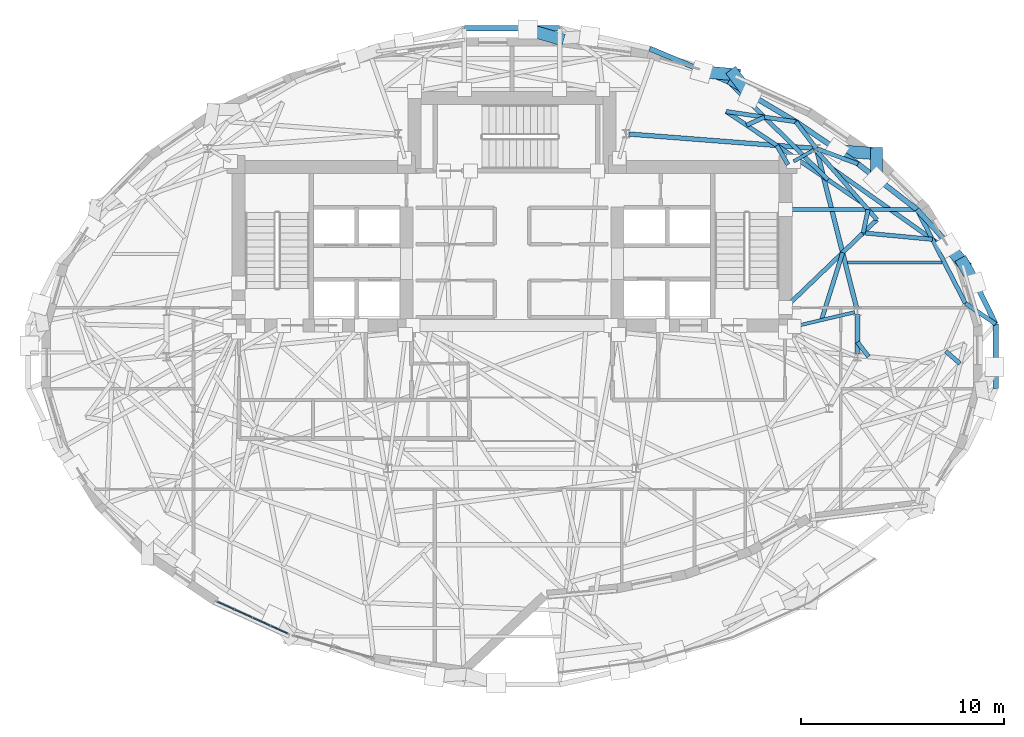
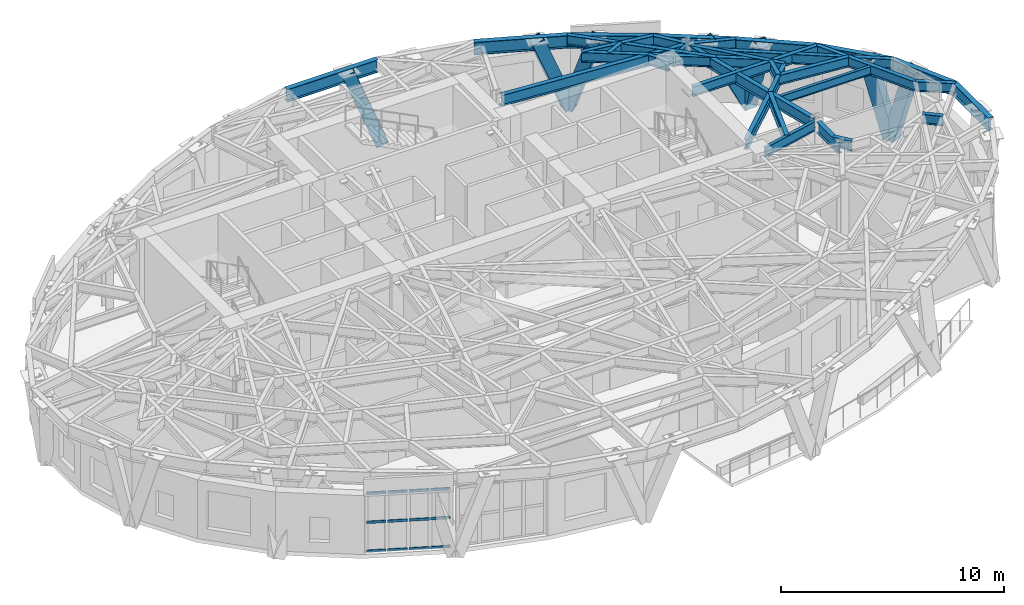
# One storey, part 6 of 15: 32 beams, 19 members, 1 element without a shape of its own.
"""IFC4 building model written with IfcOpenShell, lengths in metres."""

from ifc_helpers import new_model, si_unit, direction, frame, origin, origin_2d, place, context, subcontext, project, spatial, rectangle, hollow_rectangle, i_section, extrude, material, layer, layer_set, material_profile, profile_set, type_object, element, aggregate, save


model = new_model("IFC4")

# Units and contexts
model_context = context("Model", 3, precision=1e-05, world=origin(), true_north=direction((0.0, 1.0)))
body_context = subcontext(model_context, "Body", "Model", "MODEL_VIEW")
ifc_project = project(units=[si_unit("LENGTHUNIT", "METRE"), si_unit("AREAUNIT", "SQUARE_METRE"), si_unit("VOLUMEUNIT", "CUBIC_METRE"), si_unit("PLANEANGLEUNIT", "RADIAN"), si_unit("MASSUNIT", "GRAM", prefix="KILO")], contexts=[model_context])

# Site, building, storey
site_placement = place(None, origin())
site = spatial("IfcSite", under=ifc_project, at=site_placement, CompositionType="ELEMENT")
building_placement = place(site_placement, origin())
building = spatial("IfcBuilding", under=site, at=building_placement, Name="Keldmark Tower", CompositionType="ELEMENT")
storey_placement = place(building_placement, frame((0.0, 0.0, 205.89990234375)))
storey = spatial("IfcBuildingStorey", under=building, at=storey_placement, Name="L57", CompositionType="ELEMENT", Elevation=205.89990234375)

# Beam
ifc_material_1 = material(Name="Steel ASTM A992 Grade 50", Category="steel")
ifc_material_profile_1 = material_profile(ifc_material_1, i_section(OverallWidth=0.153076171875, OverallDepth=0.455078125, WebThickness=0.008056640625, FlangeThickness=0.01318359375, at=origin_2d()), Name="W18X40")
ifc_profile_set_1 = profile_set([ifc_material_profile_1], Name="Steel ASTM A992 Grade 50")
beam_type_1 = type_object("IfcBeamType", Name="Composite Floor Joist W18X40", PredefinedType="JOIST", material=ifc_profile_set_1)
beam_1_placement = place(storey_placement, frame((16.52490234375, 4.6201171875, 3.692626953125), z_axis=(1.0, 0.0, 0.0), x_axis=(0.0, 1.0, 0.0)))
element("IfcBeam", 1, at=beam_1_placement, inside=storey, type_object=beam_type_1, Name="L57 Composite Floor Joist J08", PredefinedType="JOIST", context=body_context, shape_type="SweptSolid", body=[
    extrude(i_section(OverallWidth=0.153076171875, OverallDepth=0.455078125, WebThickness=0.008056640625, FlangeThickness=0.01318359375, at=origin_2d()), origin(), (0.0, 0.0, 1.0), 4.674560546875),
])

# Curtain wall, members
ifc_material_2 = material(Name="Unitized Thermally Broken Aluminum and Triple Low-E Glazing", Category="aluminium")
ifc_layer = layer(ifc_material_2, 0.219970703125)
ifc_layer_set = layer_set([ifc_layer], Name="Unitized Thermally Broken Aluminum and Triple Low-E Glazing")
curtain_wall_type = type_object("IfcCurtainWallType", Name="Sky Lobby Amenity Curtain Wall System", PredefinedType="NOTDEFINED", material=ifc_layer_set)
curtain_wall_placement = place(storey_placement, origin())
curtain_wall = element("IfcCurtainWall", 2, at=curtain_wall_placement, inside=storey, type_object=curtain_wall_type, Name="L57 Sky Lobby Amenity Curtain Wall System CW-L57-21", PredefinedType="NOTDEFINED")
ifc_material_3 = material(Name="Extruded Aluminum Alloy 6063-T6", Category="aluminium")
ifc_material_profile_2 = material_profile(ifc_material_3, rectangle(XDim=0.06005859375, YDim=0.139892578125, at=origin_2d()), Name="CWT60X140")
ifc_profile_set_2 = profile_set([ifc_material_profile_2], Name="Extruded Aluminum Alloy 6063-T6")
member_type_1 = type_object("IfcMemberType", Name="Curtain Wall Horizontal Transom 60x140", PredefinedType="USERDEFINED", material=ifc_profile_set_2)
member_1_placement = place(storey_placement, frame((-11.074951171875, -13.6513671875, 0.030029296875), z_axis=(-0.910924749514, 0.412572539953, 0.0), x_axis=(-0.412572539953, -0.910924749514, 0.0)))
member_1 = element("IfcMember", 3, at=member_1_placement, type_object=member_type_1, Name="CW transom 1.1", ObjectType="TRANSOM", PredefinedType="USERDEFINED", context=body_context, shape_type="SweptSolid", body=[
    extrude(rectangle(XDim=0.06005859375, YDim=0.139892578125, at=origin_2d()), origin(), (0.0, 0.0, 1.0), 0.88232421875),
])
member_2_placement = place(storey_placement, frame((-11.074951171875, -13.6513671875, 1.607666015625), z_axis=(-0.910924749514, 0.412572539953, 0.0), x_axis=(-0.412572539953, -0.910924749514, 0.0)))
member_2 = element("IfcMember", 4, at=member_2_placement, type_object=member_type_1, Name="CW transom 1.2", ObjectType="TRANSOM", PredefinedType="USERDEFINED", context=body_context, shape_type="SweptSolid", body=[
    extrude(rectangle(XDim=0.06005859375, YDim=0.139892578125, at=origin_2d()), origin(), (0.0, 0.0, 1.0), 0.88232421875),
])
member_3_placement = place(storey_placement, frame((-11.074951171875, -13.6513671875, 3.18505859375), z_axis=(-0.910924749514, 0.412572539953, 0.0), x_axis=(-0.412572539953, -0.910924749514, 0.0)))
member_3 = element("IfcMember", 5, at=member_3_placement, type_object=member_type_1, Name="CW transom 1.3", ObjectType="TRANSOM", PredefinedType="USERDEFINED", context=body_context, shape_type="SweptSolid", body=[
    extrude(rectangle(XDim=0.06005859375, YDim=0.139892578125, at=origin_2d()), origin(), (0.0, 0.0, 1.0), 0.88232421875),
])
member_4_placement = place(storey_placement, frame((-11.933349609375, -13.262451171875, 0.030029296875), z_axis=(-0.910897253022, 0.412633244465, 0.0), x_axis=(-0.412633244465, -0.910897253022, 0.0)))
member_4 = element("IfcMember", 6, at=member_4_placement, type_object=member_type_1, Name="CW transom 2.1", ObjectType="TRANSOM", PredefinedType="USERDEFINED", context=body_context, shape_type="SweptSolid", body=[
    extrude(rectangle(XDim=0.06005859375, YDim=0.139892578125, at=origin_2d()), origin(), (0.0, 0.0, 1.0), 0.912353515625),
])
member_5_placement = place(storey_placement, frame((-11.933349609375, -13.262451171875, 1.607666015625), z_axis=(-0.910897253022, 0.412633244465, 0.0), x_axis=(-0.412633244465, -0.910897253022, 0.0)))
member_5 = element("IfcMember", 7, at=member_5_placement, type_object=member_type_1, Name="CW transom 2.2", ObjectType="TRANSOM", PredefinedType="USERDEFINED", context=body_context, shape_type="SweptSolid", body=[
    extrude(rectangle(XDim=0.06005859375, YDim=0.139892578125, at=origin_2d()), origin(), (0.0, 0.0, 1.0), 0.912353515625),
])
member_6_placement = place(storey_placement, frame((-11.933349609375, -13.262451171875, 3.18505859375), z_axis=(-0.910897253022, 0.412633244465, 0.0), x_axis=(-0.412633244465, -0.910897253022, 0.0)))
member_6 = element("IfcMember", 8, at=member_6_placement, type_object=member_type_1, Name="CW transom 2.3", ObjectType="TRANSOM", PredefinedType="USERDEFINED", context=body_context, shape_type="SweptSolid", body=[
    extrude(rectangle(XDim=0.06005859375, YDim=0.139892578125, at=origin_2d()), origin(), (0.0, 0.0, 1.0), 0.912353515625),
])
member_7_placement = place(storey_placement, frame((-12.819091796875, -12.861328125, 0.030029296875), z_axis=(-0.910796656654, 0.412855241251, 0.0), x_axis=(-0.412855241251, -0.910796656654, 0.0)))
member_7 = element("IfcMember", 9, at=member_7_placement, type_object=member_type_1, Name="CW transom 3.1", ObjectType="TRANSOM", PredefinedType="USERDEFINED", context=body_context, shape_type="SweptSolid", body=[
    extrude(rectangle(XDim=0.06005859375, YDim=0.139892578125, at=origin_2d()), origin(), (0.0, 0.0, 1.0), 0.912353515625),
])
member_8_placement = place(storey_placement, frame((-12.819091796875, -12.861328125, 1.607666015625), z_axis=(-0.910796656654, 0.412855241251, 0.0), x_axis=(-0.412855241251, -0.910796656654, 0.0)))
member_8 = element("IfcMember", 10, at=member_8_placement, type_object=member_type_1, Name="CW transom 3.2", ObjectType="TRANSOM", PredefinedType="USERDEFINED", context=body_context, shape_type="SweptSolid", body=[
    extrude(rectangle(XDim=0.06005859375, YDim=0.139892578125, at=origin_2d()), origin(), (0.0, 0.0, 1.0), 0.912353515625),
])
member_9_placement = place(storey_placement, frame((-12.819091796875, -12.861328125, 3.18505859375), z_axis=(-0.910796656654, 0.412855241251, 0.0), x_axis=(-0.412855241251, -0.910796656654, 0.0)))
member_9 = element("IfcMember", 11, at=member_9_placement, type_object=member_type_1, Name="CW transom 3.3", ObjectType="TRANSOM", PredefinedType="USERDEFINED", context=body_context, shape_type="SweptSolid", body=[
    extrude(rectangle(XDim=0.06005859375, YDim=0.139892578125, at=origin_2d()), origin(), (0.0, 0.0, 1.0), 0.912353515625),
])
member_10_placement = place(storey_placement, frame((-13.70458984375, -12.4599609375, 0.030029296875), z_axis=(-0.910867868616, 0.412698105064, 0.0), x_axis=(-0.412698105064, -0.910867868616, 0.0)))
member_10 = element("IfcMember", 12, at=member_10_placement, type_object=member_type_1, Name="CW transom 4.1", ObjectType="TRANSOM", PredefinedType="USERDEFINED", context=body_context, shape_type="SweptSolid", body=[
    extrude(rectangle(XDim=0.06005859375, YDim=0.139892578125, at=origin_2d()), origin(), (0.0, 0.0, 1.0), 0.882568359375),
])
member_11_placement = place(storey_placement, frame((-13.70458984375, -12.4599609375, 1.607666015625), z_axis=(-0.910867868616, 0.412698105064, 0.0), x_axis=(-0.412698105064, -0.910867868616, 0.0)))
member_11 = element("IfcMember", 13, at=member_11_placement, type_object=member_type_1, Name="CW transom 4.2", ObjectType="TRANSOM", PredefinedType="USERDEFINED", context=body_context, shape_type="SweptSolid", body=[
    extrude(rectangle(XDim=0.06005859375, YDim=0.139892578125, at=origin_2d()), origin(), (0.0, 0.0, 1.0), 0.882568359375),
])
member_12_placement = place(storey_placement, frame((-13.70458984375, -12.4599609375, 3.18505859375), z_axis=(-0.910867868616, 0.412698105064, 0.0), x_axis=(-0.412698105064, -0.910867868616, 0.0)))
member_12 = element("IfcMember", 14, at=member_12_placement, type_object=member_type_1, Name="CW transom 4.3", ObjectType="TRANSOM", PredefinedType="USERDEFINED", context=body_context, shape_type="SweptSolid", body=[
    extrude(rectangle(XDim=0.06005859375, YDim=0.139892578125, at=origin_2d()), origin(), (0.0, 0.0, 1.0), 0.882568359375),
])
aggregate(curtain_wall, [member_1, member_2, member_3, member_4, member_5, member_6, member_7, member_8, member_9, member_10, member_11, member_12])

# Members
ifc_material_4 = material(Name="Steel ASTM A572 Grade 50", Category="steel")
ifc_material_profile_3 = material_profile(ifc_material_4, hollow_rectangle(XDim=0.60009765625, YDim=0.60009765625, WallThickness=0.034912109375, at=origin_2d()), Name="BOX600X600X35")
ifc_profile_set_3 = profile_set([ifc_material_profile_3], Name="Steel ASTM A572 Grade 50")
member_type_2 = type_object("IfcMemberType", Name="Diagrid Zone 4 Brace BOX600X600X35", PredefinedType="BRACE", material=ifc_profile_set_3)
member_13_placement = place(storey_placement, frame((22.237060546875, 4.58056640625, -0.2998046875), z_axis=(0.130911744924, -0.232323868239, 0.963788221181), x_axis=(0.871207439334, 0.490915061542, 0.0)))
element("IfcMember", 15, at=member_13_placement, inside=storey, type_object=member_type_2, Name="L57 Perimeter Diagrid Brace 01A", PredefinedType="BRACE", context=body_context, shape_type="SweptSolid", body=[
    extrude(hollow_rectangle(XDim=0.60009765625, YDim=0.60009765625, WallThickness=0.034912109375, at=origin_2d()), origin(), (0.0, 0.0, 1.0), 4.25390625),
])
member_14_placement = place(storey_placement, frame((22.2392578125, 4.569091796875, -0.2998046875), z_axis=(-0.172510938945, 0.209592193928, 0.962450564023), x_axis=(-0.77210085274, -0.635500018252, 0.0)))
element("IfcMember", 16, at=member_14_placement, inside=storey, type_object=member_type_2, Name="L57 Perimeter Diagrid Brace 01B", PredefinedType="BRACE", context=body_context, shape_type="SweptSolid", body=[
    extrude(hollow_rectangle(XDim=0.60009765625, YDim=0.60009765625, WallThickness=0.034912109375, at=origin_2d()), origin(), (0.0, 0.0, 1.0), 4.259765625),
])
member_15_placement = place(storey_placement, frame((17.958251953125, 9.9951171875, -0.2998046875), z_axis=(0.001193187377, -0.299319576185, 0.954152172149), x_axis=(0.999992054671, 0.003986300901, 0.0)))
element("IfcMember", 17, at=member_15_placement, inside=storey, type_object=member_type_2, Name="L57 Perimeter Diagrid Brace 02A", PredefinedType="BRACE", context=body_context, shape_type="SweptSolid", body=[
    extrude(hollow_rectangle(XDim=0.60009765625, YDim=0.60009765625, WallThickness=0.034912109375, at=origin_2d()), origin(), (0.0, 0.0, 1.0), 4.296875),
])
member_16_placement = place(storey_placement, frame((17.964599609375, 9.9853515625, -0.2998046875), z_axis=(-0.435452095061, 0.034176213144, 0.89956292685), x_axis=(-0.078243824961, -0.996934252524, 0.0)))
element("IfcMember", 18, at=member_16_placement, inside=storey, type_object=member_type_2, Name="L57 Perimeter Diagrid Brace 02B", PredefinedType="BRACE", context=body_context, shape_type="SweptSolid", body=[
    extrude(hollow_rectangle(XDim=0.60009765625, YDim=0.60009765625, WallThickness=0.034912109375, at=origin_2d()), origin(), (0.0, 0.0, 1.0), 4.5576171875),
])
member_17_placement = place(storey_placement, frame((10.9453125, 13.887939453125, -0.2998046875), z_axis=(0.183769105387, -0.245214420082, 0.951892222938), x_axis=(0.80022192082, 0.599703991516, 0.0)))
element("IfcMember", 19, at=member_17_placement, inside=storey, type_object=member_type_2, Name="L57 Perimeter Diagrid Brace 03A", PredefinedType="BRACE", context=body_context, shape_type="SweptSolid", body=[
    extrude(hollow_rectangle(XDim=0.60009765625, YDim=0.60009765625, WallThickness=0.034912109375, at=origin_2d()), origin(), (0.0, 0.0, 1.0), 4.30712890625),
])
member_18_placement = place(storey_placement, frame((10.955078125, 13.881591796875, -0.2998046875), z_axis=(-0.365343697938, 0.03312744979, 0.930283050715), x_axis=(-0.090304276689, -0.995914222015, 0.0)))
element("IfcMember", 20, at=member_18_placement, inside=storey, type_object=member_type_2, Name="L57 Perimeter Diagrid Brace 03B", PredefinedType="BRACE", context=body_context, shape_type="SweptSolid", body=[
    extrude(hollow_rectangle(XDim=0.60009765625, YDim=0.60009765625, WallThickness=0.034912109375, at=origin_2d()), origin(), (0.0, 0.0, 1.0), 4.406982421875),
])
member_19_placement = place(storey_placement, frame((2.27783203125, 15.664306640625, -0.2998046875), z_axis=(-0.342093162793, 0.100641816798, 0.934260933938), x_axis=(-0.282233897329, -0.959345624475, 0.0)))
element("IfcMember", 21, at=member_19_placement, inside=storey, type_object=member_type_2, Name="L57 Perimeter Diagrid Brace 04B", PredefinedType="BRACE", context=body_context, shape_type="SweptSolid", body=[
    extrude(hollow_rectangle(XDim=0.60009765625, YDim=0.60009765625, WallThickness=0.034912109375, at=origin_2d()), origin(), (0.0, 0.0, 1.0), 4.388427734375),
])

# Beams
ifc_material_5 = material(Name="Steel ASTM A992 Grade 50", Category="steel")
ifc_material_profile_4 = material_profile(ifc_material_5, i_section(OverallWidth=0.22802734375, OverallDepth=0.60302734375, WebThickness=0.010498046875, FlangeThickness=0.014892578125, at=origin_2d()), Name="W24X68")
ifc_profile_set_4 = profile_set([ifc_material_profile_4], Name="Steel ASTM A992 Grade 50")
beam_type_2 = type_object("IfcBeamType", Name="Primary Floor Girder W24X68", PredefinedType="BEAM", material=ifc_profile_set_4)
beam_2_placement = place(storey_placement, frame((16.9912109375, 2.34375, 3.61865234375), z_axis=(-0.244902129455, 0.969547805417, 0.0), x_axis=(-0.969547805417, -0.244902129455, 0.0)))
element("IfcBeam", 22, at=beam_2_placement, inside=storey, type_object=beam_type_2, Name="L57 Floor Ring Girder FG-R01", PredefinedType="BEAM", context=body_context, shape_type="SweptSolid", body=[
    extrude(i_section(OverallWidth=0.22802734375, OverallDepth=0.60302734375, WebThickness=0.010498046875, FlangeThickness=0.014892578125, at=origin_2d()), origin(), (0.0, 0.0, 1.0), 8.008056640625),
])
beam_3_placement = place(storey_placement, frame((14.856201171875, 10.25439453125, 3.61865234375), z_axis=(-0.997037147832, 0.076921556421, 0.0), x_axis=(-0.076921556421, -0.997037147832, 0.0)))
element("IfcBeam", 23, at=beam_3_placement, inside=storey, type_object=beam_type_2, Name="L57 Floor Ring Girder FG-R02", PredefinedType="BEAM", context=body_context, shape_type="SweptSolid", body=[
    extrude(i_section(OverallWidth=0.22802734375, OverallDepth=0.60302734375, WebThickness=0.010498046875, FlangeThickness=0.014892578125, at=origin_2d()), origin(), (0.0, 0.0, 1.0), 9.125),
])
beam_4_placement = place(storey_placement, frame((17.025634765625, 0.115966796875, 3.61865234375), z_axis=(0.0, 1.0, 0.0), x_axis=(-1.0, 0.0, 0.0)))
element("IfcBeam", 24, at=beam_4_placement, inside=storey, type_object=beam_type_2, Name="L57 Floor Ring Girder FG-R12", PredefinedType="BEAM", context=body_context, shape_type="SweptSolid", body=[
    extrude(i_section(OverallWidth=0.22802734375, OverallDepth=0.60302734375, WebThickness=0.010498046875, FlangeThickness=0.014892578125, at=origin_2d()), origin(), (0.0, 0.0, 1.0), 1.9521484375),
])
ifc_material_6 = material(Name="Steel ASTM A992 Grade 50", Category="steel")
ifc_material_profile_5 = material_profile(ifc_material_6, i_section(OverallWidth=0.166015625, OverallDepth=0.529052734375, WebThickness=0.009765625, FlangeThickness=0.013671875, at=origin_2d()), Name="W21X50")
ifc_profile_set_5 = profile_set([ifc_material_profile_5], Name="Steel ASTM A992 Grade 50")
beam_type_3 = type_object("IfcBeamType", Name="Radial Tie Girder W21X50", PredefinedType="BEAM", material=ifc_profile_set_5)
beam_5_placement = place(storey_placement, frame((16.889404296875, 2.17578125, 3.655517578125), z_axis=(-0.97329039005, -0.229577474147, 0.0), x_axis=(0.229577474147, -0.97329039005, 0.0)))
element("IfcBeam", 25, at=beam_5_placement, inside=storey, type_object=beam_type_3, Name="L57 Floor Radial Girder FG-C01", PredefinedType="BEAM", context=body_context, shape_type="SweptSolid", body=[
    extrude(i_section(OverallWidth=0.166015625, OverallDepth=0.529052734375, WebThickness=0.009765625, FlangeThickness=0.013671875, at=origin_2d()), origin(), (0.0, 0.0, 1.0), 3.0595703125),
])
beam_6_placement = place(storey_placement, frame((14.8740234375, 10.174560546875, 3.655517578125), z_axis=(-0.869238046195, -0.494393789451, 0.0), x_axis=(0.494393789451, -0.869238046195, 0.0)))
element("IfcBeam", 26, at=beam_6_placement, inside=storey, type_object=beam_type_3, Name="L57 Floor Radial Girder FG-C02", PredefinedType="BEAM", context=body_context, shape_type="SweptSolid", body=[
    extrude(i_section(OverallWidth=0.166015625, OverallDepth=0.529052734375, WebThickness=0.009765625, FlangeThickness=0.013671875, at=origin_2d()), origin(), (0.0, 0.0, 1.0), 1.145751953125),
])
ifc_material_7 = material(Name="Steel ASTM A992 Grade 50", Category="steel")
ifc_material_profile_6 = material_profile(ifc_material_7, i_section(OverallWidth=0.2099609375, OverallDepth=0.537109375, WebThickness=0.010986328125, FlangeThickness=0.017333984375, at=origin_2d()), Name="W21X68")
ifc_profile_set_6 = profile_set([ifc_material_profile_6], Name="Steel ASTM A992 Grade 50")
beam_type_4 = type_object("IfcBeamType", Name="Radial Tie Girder W21X68", PredefinedType="BEAM", material=ifc_profile_set_6)
beam_7_placement = place(storey_placement, frame((17.025634765625, 0.70166015625, 3.651611328125), z_axis=(0.606466551829, -0.795108999768, 0.0), x_axis=(0.795108999768, 0.606466551829, 0.0)))
element("IfcBeam", 27, at=beam_7_placement, inside=storey, type_object=beam_type_4, Name="L57 Framing Pin Header PH-006", PredefinedType="BEAM", context=body_context, shape_type="SweptSolid", body=[
    extrude(i_section(OverallWidth=0.2099609375, OverallDepth=0.537109375, WebThickness=0.010986328125, FlangeThickness=0.017333984375, at=origin_2d()), origin(), (0.0, 0.0, 1.0), 0.9033203125),
])
beam_8_placement = place(storey_placement, frame((21.37451171875, 0.25390625, 3.651611328125), z_axis=(0.756328151028, -0.654192424262, 0.0), x_axis=(0.654192424262, 0.756328151028, 0.0)))
element("IfcBeam", 28, at=beam_8_placement, inside=storey, type_object=beam_type_4, Name="L57 Framing Pin Header PH-013", PredefinedType="BEAM", context=body_context, shape_type="SweptSolid", body=[
    extrude(i_section(OverallWidth=0.2099609375, OverallDepth=0.537109375, WebThickness=0.010986328125, FlangeThickness=0.017333984375, at=origin_2d()), origin(), (0.0, 0.0, 1.0), 0.93212890625),
])
beam_9_placement = place(storey_placement, frame((23.833984375, 1.59228515625, 3.651611328125), z_axis=(-0.824644269161, 0.565651685527, 0.0), x_axis=(-0.565651685527, -0.824644269161, 0.0)))
element("IfcBeam", 29, at=beam_9_placement, inside=storey, type_object=beam_type_4, Name="L57 Local Collector Chord RT-02C", PredefinedType="BEAM", context=body_context, shape_type="SweptSolid", body=[
    extrude(i_section(OverallWidth=0.2099609375, OverallDepth=0.537109375, WebThickness=0.010986328125, FlangeThickness=0.017333984375, at=origin_2d()), origin(), (0.0, 0.0, 1.0), 1.80810546875),
])
beam_10_placement = place(storey_placement, frame((15.25146484375, 1.78955078125, 3.651611328125), z_axis=(0.298821875964, 0.954308905148, 0.0), x_axis=(-0.954308905148, 0.298821875964, 0.0)))
element("IfcBeam", 30, at=beam_10_placement, inside=storey, type_object=beam_type_4, Name="L57 Framing Pin Header PH-014", PredefinedType="BEAM", context=body_context, shape_type="SweptSolid", body=[
    extrude(i_section(OverallWidth=0.2099609375, OverallDepth=0.537109375, WebThickness=0.010986328125, FlangeThickness=0.017333984375, at=origin_2d()), origin(), (0.0, 0.0, 1.0), 3.482177734375),
])
beam_11_placement = place(storey_placement, frame((13.47509765625, 2.406982421875, 3.651611328125), z_axis=(0.721220258641, 0.692705809507, 0.0), x_axis=(-0.692705809507, 0.721220258641, 0.0)))
element("IfcBeam", 31, at=beam_11_placement, inside=storey, type_object=beam_type_4, Name="L57 Intermediate Radial Step Girder RT-03M", PredefinedType="BEAM", context=body_context, shape_type="SweptSolid", body=[
    extrude(i_section(OverallWidth=0.2099609375, OverallDepth=0.537109375, WebThickness=0.010986328125, FlangeThickness=0.017333984375, at=origin_2d()), origin(), (0.0, 0.0, 1.0), 6.250244140625),
])
beam_12_placement = place(storey_placement, frame((15.030029296875, 10.10791015625, 3.651611328125), z_axis=(0.658878622303, -0.752249267911, 0.0), x_axis=(0.752249267911, 0.658878622303, 0.0)))
element("IfcBeam", 32, at=beam_12_placement, inside=storey, type_object=beam_type_4, Name="L57 Local Collector Chord RT-03C", PredefinedType="BEAM", context=body_context, shape_type="SweptSolid", body=[
    extrude(i_section(OverallWidth=0.2099609375, OverallDepth=0.537109375, WebThickness=0.010986328125, FlangeThickness=0.017333984375, at=origin_2d()), origin(), (0.0, 0.0, 1.0), 4.481689453125),
])
beam_13_placement = place(storey_placement, frame((17.306640625, 6.087158203125, 3.651611328125), z_axis=(0.203954254112, 0.978980419738, 0.0), x_axis=(-0.978980419738, 0.203954254112, 0.0)))
element("IfcBeam", 33, at=beam_13_placement, inside=storey, type_object=beam_type_4, Name="L57 Framing Pin Header PH-015", PredefinedType="BEAM", context=body_context, shape_type="SweptSolid", body=[
    extrude(i_section(OverallWidth=0.2099609375, OverallDepth=0.537109375, WebThickness=0.010986328125, FlangeThickness=0.017333984375, at=origin_2d()), origin(), (0.0, 0.0, 1.0), 1.173095703125),
])
beam_14_placement = place(storey_placement, frame((13.47509765625, 7.235595703125, 3.651611328125), z_axis=(1.0, 0.0, 0.0), x_axis=(0.0, 1.0, 0.0)))
element("IfcBeam", 34, at=beam_14_placement, inside=storey, type_object=beam_type_4, Name="L57 Perimeter Radial Tie Girder RT-03", PredefinedType="BEAM", context=body_context, shape_type="SweptSolid", body=[
    extrude(i_section(OverallWidth=0.2099609375, OverallDepth=0.537109375, WebThickness=0.010986328125, FlangeThickness=0.017333984375, at=origin_2d()), origin(), (0.0, 0.0, 1.0), 6.48291015625),
])
beam_15_placement = place(storey_placement, frame((14.995849609375, 10.24365234375, 3.651611328125), z_axis=(0.938266766663, -0.345912524457, 0.0), x_axis=(0.345912524457, 0.938266766663, 0.0)))
element("IfcBeam", 35, at=beam_15_placement, inside=storey, type_object=beam_type_4, Name="L57 Perimeter Column Bracket RT-04", PredefinedType="BEAM", context=body_context, shape_type="SweptSolid", body=[
    extrude(i_section(OverallWidth=0.2099609375, OverallDepth=0.537109375, WebThickness=0.010986328125, FlangeThickness=0.017333984375, at=origin_2d()), origin(), (0.0, 0.0, 1.0), 2.184326171875),
])
beam_16_placement = place(storey_placement, frame((14.995849609375, 10.24365234375, 3.651611328125), z_axis=(-0.607253376458, 0.794508235817, 0.0), x_axis=(-0.794508235817, -0.607253376458, 0.0)))
element("IfcBeam", 36, at=beam_16_placement, inside=storey, type_object=beam_type_4, Name="L57 Perimeter Column Bracket RT-05", PredefinedType="BEAM", context=body_context, shape_type="SweptSolid", body=[
    extrude(i_section(OverallWidth=0.2099609375, OverallDepth=0.537109375, WebThickness=0.010986328125, FlangeThickness=0.017333984375, at=origin_2d()), origin(), (0.0, 0.0, 1.0), 1.658447265625),
])
beam_17_placement = place(storey_placement, frame((13.60009765625, 9.449951171875, 3.651611328125), z_axis=(-0.50507783821, 0.863073796004, 0.0), x_axis=(-0.863073796004, -0.50507783821, 0.0)))
element("IfcBeam", 37, at=beam_17_placement, inside=storey, type_object=beam_type_4, Name="L57 Framing Pin Header PH-016", PredefinedType="BEAM", context=body_context, shape_type="SweptSolid", body=[
    extrude(i_section(OverallWidth=0.2099609375, OverallDepth=0.537109375, WebThickness=0.010986328125, FlangeThickness=0.017333984375, at=origin_2d()), origin(), (0.0, 0.0, 1.0), 1.09375),
])
beam_18_placement = place(storey_placement, frame((17.24462890625, 7.57958984375, 3.651611328125), z_axis=(-0.830555207434, 0.55693630462, 0.0), x_axis=(-0.55693630462, -0.830555207434, 0.0)))
element("IfcBeam", 38, at=beam_18_placement, inside=storey, type_object=beam_type_4, Name="L57 Intermediate Radial Step Girder RT-06M", PredefinedType="BEAM", context=body_context, shape_type="SweptSolid", body=[
    extrude(i_section(OverallWidth=0.2099609375, OverallDepth=0.537109375, WebThickness=0.010986328125, FlangeThickness=0.017333984375, at=origin_2d()), origin(), (0.0, 0.0, 1.0), 8.055419921875),
])
beam_19_placement = place(storey_placement, frame((13.98876953125, 11.561279296875, 3.651611328125), z_axis=(-0.989377587818, 0.145368458489, 0.0), x_axis=(-0.145368458489, -0.989377587818, 0.0)))
element("IfcBeam", 39, at=beam_19_placement, inside=storey, type_object=beam_type_4, Name="L57 Local Collector Chord RT-06C", PredefinedType="BEAM", context=body_context, shape_type="SweptSolid", body=[
    extrude(i_section(OverallWidth=0.2099609375, OverallDepth=0.537109375, WebThickness=0.010986328125, FlangeThickness=0.017333984375, at=origin_2d()), origin(), (0.0, 0.0, 1.0), 3.471435546875),
])
beam_20_placement = place(storey_placement, frame((11.557861328125, 11.392822265625, 3.651611328125), z_axis=(0.912411865706, 0.409273242858, 0.0), x_axis=(-0.409273242858, 0.912411865706, 0.0)))
element("IfcBeam", 40, at=beam_20_placement, inside=storey, type_object=beam_type_4, Name="L57 Framing Pin Header PH-017", PredefinedType="BEAM", context=body_context, shape_type="SweptSolid", body=[
    extrude(i_section(OverallWidth=0.2099609375, OverallDepth=0.537109375, WebThickness=0.010986328125, FlangeThickness=0.017333984375, at=origin_2d()), origin(), (0.0, 0.0, 1.0), 0.967529296875),
])
beam_21_placement = place(storey_placement, frame((15.572021484375, 8.701171875, 3.651611328125), z_axis=(-0.712087339415, 0.702090892296, 0.0), x_axis=(-0.702090892296, -0.712087339415, 0.0)))
element("IfcBeam", 41, at=beam_21_placement, inside=storey, type_object=beam_type_4, Name="L57 Perimeter Radial Tie Girder RT-06", PredefinedType="BEAM", context=body_context, shape_type="SweptSolid", body=[
    extrude(i_section(OverallWidth=0.2099609375, OverallDepth=0.537109375, WebThickness=0.010986328125, FlangeThickness=0.017333984375, at=origin_2d()), origin(), (0.0, 0.0, 1.0), 6.88720703125),
])
beam_22_placement = place(storey_placement, frame((22.343017578125, 2.614990234375, 3.651611328125), z_axis=(-0.458670426953, 0.88860645926, 0.0), x_axis=(-0.88860645926, -0.458670426953, 0.0)))
element("IfcBeam", 42, at=beam_22_placement, inside=storey, type_object=beam_type_4, Name="L57 Straddling Support Chord RT-02RB", PredefinedType="BEAM", context=body_context, shape_type="SweptSolid", body=[
    extrude(i_section(OverallWidth=0.2099609375, OverallDepth=0.537109375, WebThickness=0.010986328125, FlangeThickness=0.017333984375, at=origin_2d()), origin(), (0.0, 0.0, 1.0), 5.199951171875),
])
beam_23_placement = place(storey_placement, frame((17.306640625, 6.087158203125, 3.651611328125), z_axis=(0.99559709195, -0.093735961618, 0.0), x_axis=(0.093735961618, 0.99559709195, 0.0)))
element("IfcBeam", 43, at=beam_23_placement, inside=storey, type_object=beam_type_4, Name="L57 Framing Pin Header PH-033", PredefinedType="BEAM", context=body_context, shape_type="SweptSolid", body=[
    extrude(i_section(OverallWidth=0.2099609375, OverallDepth=0.537109375, WebThickness=0.010986328125, FlangeThickness=0.017333984375, at=origin_2d()), origin(), (0.0, 0.0, 1.0), 3.425048828125),
])
beam_24_placement = place(storey_placement, frame((15.768310546875, 9.26513671875, 3.651611328125), z_axis=(0.816479235015, -0.577374799233, 0.0), x_axis=(0.577374799233, 0.816479235015, 0.0)))
element("IfcBeam", 44, at=beam_24_placement, inside=storey, type_object=beam_type_4, Name="L57 Perimeter Radial Tie Girder RT-02R", PredefinedType="BEAM", context=body_context, shape_type="SweptSolid", body=[
    extrude(i_section(OverallWidth=0.2099609375, OverallDepth=0.537109375, WebThickness=0.010986328125, FlangeThickness=0.017333984375, at=origin_2d()), origin(), (0.0, 0.0, 1.0), 8.07763671875),
])
ifc_material_8 = material(Name="Steel ASTM A992 Grade 50", Category="steel")
ifc_material_profile_7 = material_profile(ifc_material_8, i_section(OverallWidth=0.256103515625, OverallDepth=0.693115234375, WebThickness=0.014404296875, FlangeThickness=0.023681640625, at=origin_2d()), Name="W27X114")
ifc_profile_set_7 = profile_set([ifc_material_profile_7], Name="Steel ASTM A992 Grade 50")
beam_type_5 = type_object("IfcBeamType", Name="Spandrel Ring Beam W27X114", PredefinedType="SPANDREL", material=ifc_profile_set_7)
beam_25_placement = place(storey_placement, frame((23.833984375, 1.59228515625, 3.573486328125), z_axis=(-0.439059769954, 0.898457855666, 0.0), x_axis=(-0.898457855666, -0.439059769954, 0.0)))
element("IfcBeam", 45, at=beam_25_placement, inside=storey, type_object=beam_type_5, Name="L57 Perimeter Spandrel Ring Beam SRB-01", PredefinedType="SPANDREL", context=body_context, shape_type="SweptSolid", body=[
    extrude(i_section(OverallWidth=0.256103515625, OverallDepth=0.693115234375, WebThickness=0.014404296875, FlangeThickness=0.023681640625, at=origin_2d()), origin(), (0.0, 0.0, 1.0), 3.34912109375),
])
beam_26_placement = place(storey_placement, frame((22.363525390625, 4.601318359375, 3.573486328125), z_axis=(-0.674316422374, 0.738442524857, 0.0), x_axis=(-0.738442524857, -0.674316422374, 0.0)))
element("IfcBeam", 46, at=beam_26_placement, inside=storey, type_object=beam_type_5, Name="L57 Perimeter Spandrel Ring Beam SRB-02", PredefinedType="SPANDREL", context=body_context, shape_type="SweptSolid", body=[
    extrude(i_section(OverallWidth=0.256103515625, OverallDepth=0.693115234375, WebThickness=0.014404296875, FlangeThickness=0.023681640625, at=origin_2d()), origin(), (0.0, 0.0, 1.0), 3.5673828125),
])
beam_27_placement = place(storey_placement, frame((19.9580078125, 7.235595703125, 3.573486328125), z_axis=(-0.791048705713, 0.611753173421, 0.0), x_axis=(-0.611753173421, -0.791048705713, 0.0)))
element("IfcBeam", 47, at=beam_27_placement, inside=storey, type_object=beam_type_5, Name="L57 Perimeter Spandrel Ring Beam SRB-03", PredefinedType="SPANDREL", context=body_context, shape_type="SweptSolid", body=[
    extrude(i_section(OverallWidth=0.256103515625, OverallDepth=0.693115234375, WebThickness=0.014404296875, FlangeThickness=0.023681640625, at=origin_2d()), origin(), (0.0, 0.0, 1.0), 3.681884765625),
])
beam_28_placement = place(storey_placement, frame((17.04541015625, 9.488037109375, 3.573486328125), z_axis=(-0.827589832786, 0.561333295529, 0.0), x_axis=(-0.561333295529, -0.827589832786, 0.0)))
element("IfcBeam", 48, at=beam_28_placement, inside=storey, type_object=beam_type_5, Name="L57 Perimeter Spandrel Ring Beam SRB-04", PredefinedType="SPANDREL", context=body_context, shape_type="SweptSolid", body=[
    extrude(i_section(OverallWidth=0.256103515625, OverallDepth=0.693115234375, WebThickness=0.014404296875, FlangeThickness=0.023681640625, at=origin_2d()), origin(), (0.0, 0.0, 1.0), 3.693359375),
])
beam_29_placement = place(storey_placement, frame((13.98876953125, 11.561279296875, 3.573486328125), z_axis=(-0.85946011514, 0.511202807586, 0.0), x_axis=(-0.511202807586, -0.85946011514, 0.0)))
element("IfcBeam", 49, at=beam_29_placement, inside=storey, type_object=beam_type_5, Name="L57 Perimeter Spandrel Ring Beam SRB-05", PredefinedType="SPANDREL", context=body_context, shape_type="SweptSolid", body=[
    extrude(i_section(OverallWidth=0.256103515625, OverallDepth=0.693115234375, WebThickness=0.014404296875, FlangeThickness=0.023681640625, at=origin_2d()), origin(), (0.0, 0.0, 1.0), 3.864013671875),
])
beam_30_placement = place(storey_placement, frame((10.667724609375, 13.53662109375, 3.573486328125), z_axis=(-0.921948168537, 0.387313276988, 0.0), x_axis=(-0.387313276988, -0.921948168537, 0.0)))
element("IfcBeam", 50, at=beam_30_placement, inside=storey, type_object=beam_type_5, Name="L57 Perimeter Spandrel Ring Beam SRB-06", PredefinedType="SPANDREL", context=body_context, shape_type="SweptSolid", body=[
    extrude(i_section(OverallWidth=0.256103515625, OverallDepth=0.693115234375, WebThickness=0.014404296875, FlangeThickness=0.023681640625, at=origin_2d()), origin(), (0.0, 0.0, 1.0), 4.212646484375),
])
beam_31_placement = place(storey_placement, frame((2.347412109375, 16.165771484375, 3.573486328125), z_axis=(-1.0, 0.0, 0.0), x_axis=(0.0, -1.0, 0.0)))
element("IfcBeam", 51, at=beam_31_placement, inside=storey, type_object=beam_type_5, Name="L57 Perimeter Spandrel Ring Beam SRB-08", PredefinedType="SPANDREL", context=body_context, shape_type="SweptSolid", body=[
    extrude(i_section(OverallWidth=0.256103515625, OverallDepth=0.693115234375, WebThickness=0.014404296875, FlangeThickness=0.023681640625, at=origin_2d()), origin(), (0.0, 0.0, 1.0), 4.69482421875),
])
beam_32_placement = place(storey_placement, frame((23.833984375, -1.59228515625, 3.573486328125), z_axis=(0.0, 1.0, 0.0), x_axis=(-1.0, 0.0, 0.0)))
element("IfcBeam", 52, at=beam_32_placement, inside=storey, type_object=beam_type_5, Name="L57 Perimeter Spandrel Ring Beam SRB-32", PredefinedType="SPANDREL", context=body_context, shape_type="SweptSolid", body=[
    extrude(i_section(OverallWidth=0.256103515625, OverallDepth=0.693115234375, WebThickness=0.014404296875, FlangeThickness=0.023681640625, at=origin_2d()), origin(), (0.0, 0.0, 1.0), 3.1845703125),
])

save(model, "model.ifc")
